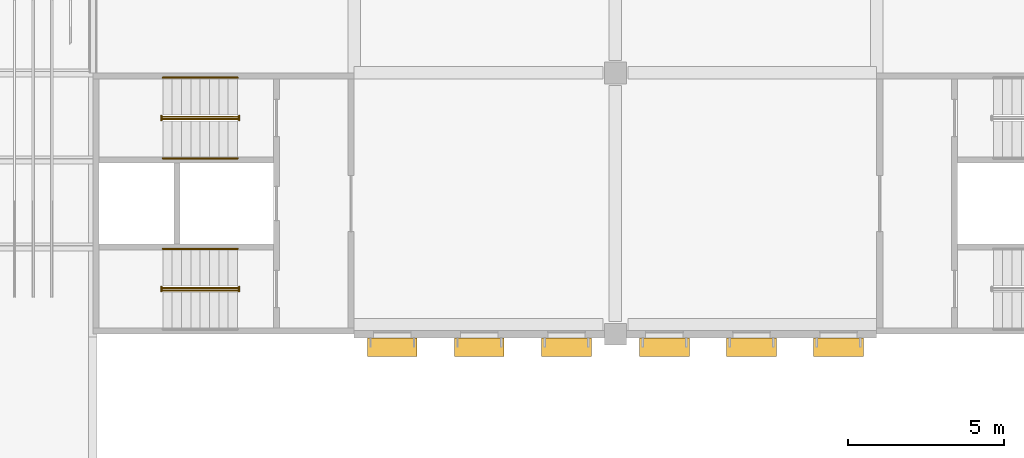
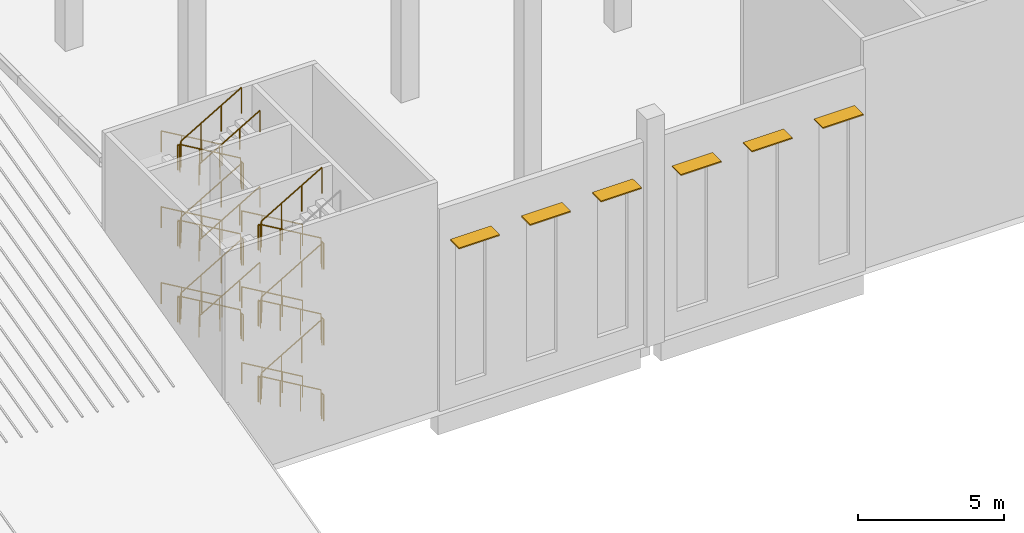
# One storey, part 97 of 114: 33 railings, 6 shading devices.
"""IFC4 building model written with IfcOpenShell, lengths in metres."""

import ifcopenshell
import ifcopenshell.guid

model = None  # the IFC model being written
_history = None  # IfcOwnerHistory: only IFC2X3 demands one
_inside = {}  # id of a spatial element -> (the spatial element, [elements in it])
_under = {}  # id of a project, library or spatial element -> (it, [spatial elements below it])
_declared = {}  # id of a project -> (the project, [libraries it declares])
_typed = {}  # id of a type object -> (the type object, [elements of that type])
_made_of = {}  # id of a material, layer set ... -> (it, [elements and type objects made of it])


def new_model(schema):
    """Start an empty IFC model of exactly this schema.

    Asked for "IFC4X3", IfcOpenShell would pick the latest addendum, in which some entities
    have other attributes; the version numbers below select the first issue.
    IFC2X3 requires an IfcOwnerHistory on every rooted entity: one is made here for all.
    """
    global model, _history
    if schema == "IFC4X3":
        model = ifcopenshell.file(schema_version=(4, 3, 0, 0))
    else:
        model = ifcopenshell.file(schema=schema)
    _inside.clear()
    _under.clear()
    _declared.clear()
    _typed.clear()
    _made_of.clear()
    _history = None
    if model.schema == "IFC2X3":
        org = make("IfcOrganization", Name="unknown")
        user = make(
            "IfcPersonAndOrganization",
            ThePerson=make("IfcPerson", FamilyName="unknown"),
            TheOrganization=org,
        )
        app = make(
            "IfcApplication",
            ApplicationDeveloper=org,
            Version="unknown",
            ApplicationFullName="unknown",
            ApplicationIdentifier="unknown",
        )
        _history = make(
            "IfcOwnerHistory",
            OwningUser=user,
            OwningApplication=app,
            ChangeAction="ADDED",
            CreationDate=0,
        )
    return model


def make(cls, **values):
    """One entity of the class cls with the attributes given. An attribute that is None is left unset."""
    return model.create_entity(
        cls, **{name: value for name, value in values.items() if value is not None}
    )


def rooted(cls, **values):
    """An entity with a GlobalId (a new one), such as an element, a storey or a relation."""
    return make(cls, GlobalId=ifcopenshell.guid.new(), OwnerHistory=_history, **values)


def si_unit(unit_type, name, prefix=None):
    """IfcSIUnit, for example si_unit("LENGTHUNIT", "METRE", prefix="MILLI")."""
    return make("IfcSIUnit", UnitType=unit_type, Prefix=prefix, Name=name)


def assignment(units):
    """IfcUnitAssignment: the units of a project."""
    return None if units is None else make("IfcUnitAssignment", Units=units)


def point(xyz):
    """IfcCartesianPoint."""
    return None if xyz is None else make("IfcCartesianPoint", Coordinates=xyz)


def direction(xyz):
    """IfcDirection."""
    return None if xyz is None else make("IfcDirection", DirectionRatios=xyz)


def frame(location, z_axis=None, x_axis=None):
    """IfcAxis2Placement3D, a coordinate frame: its origin and axes. An axis left out is left unset."""
    return make(
        "IfcAxis2Placement3D",
        Location=point(location),
        Axis=direction(z_axis),
        RefDirection=direction(x_axis),
    )


def frame_2d(location, x_axis=None):
    """IfcAxis2Placement2D, a coordinate frame in the plane: its origin and x axis."""
    return make(
        "IfcAxis2Placement2D", Location=point(location), RefDirection=direction(x_axis)
    )


def origin():
    """The frame at (0, 0, 0) with its axes left unset."""
    return frame((0.0, 0.0, 0.0))


def origin_2d():
    """The frame at (0, 0) in the plane with its x axis left unset."""
    return frame_2d((0.0, 0.0))


def place(relative_to, where):
    """IfcLocalPlacement: puts the frame where relative to a parent placement (None: the world)."""
    return make(
        "IfcLocalPlacement", PlacementRelTo=relative_to, RelativePlacement=where
    )


def context(
    kind, dimensions, precision=None, world=None, true_north=None, identifier=None
):
    """IfcGeometricRepresentationContext, for example the 3D "Model" context."""
    return make(
        "IfcGeometricRepresentationContext",
        ContextIdentifier=identifier,
        ContextType=kind,
        CoordinateSpaceDimension=dimensions,
        Precision=precision,
        WorldCoordinateSystem=world,
        TrueNorth=true_north,
    )


def subcontext(parent, identifier, kind, view, scale=None):
    """IfcGeometricRepresentationSubContext, for example "Body" below "Model"."""
    return make(
        "IfcGeometricRepresentationSubContext",
        ContextIdentifier=identifier,
        ContextType=kind,
        ParentContext=parent,
        TargetScale=scale,
        TargetView=view,
    )


def project(units=None, contexts=None):
    """IfcProject with its units and contexts."""
    return rooted(
        "IfcProject",
        Name="project",
        RepresentationContexts=contexts,
        UnitsInContext=assignment(units),
    )


def spatial(cls, under=None, at=None, **own):
    """A site, building, storey or space (cls), placed at a placement, below another one or the project."""
    s = rooted(cls, ObjectPlacement=at, **own)
    if under is not None:
        _under.setdefault(under.id(), (under, []))[1].append(s)
    return s


def profile(cls, at=None, kind="AREA", **sizes):
    """A parametric profile (cls). Its sizes go by their IFC names, for example OverallWidth=200.0."""
    return make(cls, ProfileType=kind, Position=at, **sizes)


def rectangle(**sizes):
    """IfcRectangleProfileDef."""
    return profile("IfcRectangleProfileDef", **sizes)


def circle(**sizes):
    """IfcCircleProfileDef."""
    return profile("IfcCircleProfileDef", **sizes)


def extrude(swept, where, along, depth):
    """IfcExtrudedAreaSolid: the profile swept, set in the frame where, extruded along a direction by depth."""
    return make(
        "IfcExtrudedAreaSolid",
        SweptArea=swept,
        Position=where,
        ExtrudedDirection=direction(along),
        Depth=depth,
    )


def shape(context_of_items, identifier, shape_type, items):
    """IfcShapeRepresentation: the items that make up one representation, for example the "Body"."""
    return make(
        "IfcShapeRepresentation",
        ContextOfItems=context_of_items,
        RepresentationIdentifier=identifier,
        RepresentationType=shape_type,
        Items=items,
    )


def material(Name=None, Category=None):
    """IfcMaterial."""
    return make("IfcMaterial", Name=Name, Category=Category)


def material_profile(
    of_material, cross_section, Name=None, Category=None, Priority=None
):
    """IfcMaterialProfile: a cross section and its material."""
    return make(
        "IfcMaterialProfile",
        Name=Name,
        Material=of_material,
        Profile=cross_section,
        Priority=Priority,
        Category=Category,
    )


def profile_set(profiles, Name=None, composite=None):
    """IfcMaterialProfileSet."""
    return make(
        "IfcMaterialProfileSet",
        Name=Name,
        MaterialProfiles=profiles,
        CompositeProfile=composite,
    )


def made_of(thing, what):
    """Note that an element or type object is made of a material, layer set ...; save() writes the relation."""
    if what is not None:
        _made_of.setdefault(what.id(), (what, []))[1].append(thing)
    return thing


def type_object(cls, material=None, **own):
    """A type object (cls), such as IfcWallType, which elements share."""
    return made_of(rooted(cls, **own), material)


def element(
    cls,
    number,
    at=None,
    inside=None,
    cuts=None,
    type_object=None,
    material=None,
    context=None,
    identifier="Body",
    shape_type=None,
    held_by="IfcProductDefinitionShape",
    body=None,
    shapes=None,
    **own,
):
    """One element of the class cls, such as IfcWall. Its Tag is "e" and its number.

    at: its placement. inside: the storey or other place that contains it. cuts: it is an
    opening in that element (IfcRelVoidsElement). A single representation is given by context,
    identifier, shape_type and body (its items); several are given by shapes. held_by: the class
    of the entity that holds the representations. save() writes the other relations.
    """
    e = rooted(cls, Tag="e%d" % number, ObjectPlacement=at, **own)
    if body is not None:
        shapes = [shape(context, identifier, shape_type, body)]
    if shapes is not None:
        e.Representation = make(held_by, Representations=shapes)
    if inside is not None:
        _inside.setdefault(inside.id(), (inside, []))[1].append(e)
    if cuts is not None:
        rooted(
            "IfcRelVoidsElement", RelatingBuildingElement=cuts, RelatedOpeningElement=e
        )
    if type_object is not None:
        _typed.setdefault(type_object.id(), (type_object, []))[1].append(e)
    return made_of(e, material)


def aggregate(whole, parts):
    """IfcRelAggregates: a whole, such as a stair, and the parts it consists of."""
    return rooted("IfcRelAggregates", RelatingObject=whole, RelatedObjects=parts)


def save(model, path):
    """Write the relations noted so far, then the file.

    IfcRelAggregates (storeys below a building ...), IfcRelContainedInSpatialStructure (elements
    in a storey), IfcRelDefinesByType, IfcRelAssociatesMaterial and IfcRelDeclares: one each for
    every whole, place, type object, material and project.
    """
    for whole, parts in _under.values():
        aggregate(whole, parts)
    for where, things in _inside.values():
        rooted(
            "IfcRelContainedInSpatialStructure",
            RelatedElements=things,
            RelatingStructure=where,
        )
    for kind, things in _typed.values():
        rooted("IfcRelDefinesByType", RelatedObjects=things, RelatingType=kind)
    for what, things in _made_of.values():
        rooted("IfcRelAssociatesMaterial", RelatedObjects=things, RelatingMaterial=what)
    for by, libraries in _declared.values():
        rooted("IfcRelDeclares", RelatingContext=by, RelatedDefinitions=libraries)
    model.write(path)


model = new_model("IFC4")

# Units and contexts
model_context = context("Model", 3, precision=1e-05, world=origin(), true_north=direction((0.0, 1.0)))
body_context = subcontext(model_context, "Body", "Model", "MODEL_VIEW")
ifc_project = project(units=[si_unit("LENGTHUNIT", "METRE"), si_unit("AREAUNIT", "SQUARE_METRE"), si_unit("VOLUMEUNIT", "CUBIC_METRE"), si_unit("PLANEANGLEUNIT", "RADIAN"), si_unit("MASSUNIT", "GRAM", prefix="KILO")], contexts=[model_context])

# Site, building, storey
site_placement = place(None, origin())
site = spatial("IfcSite", under=ifc_project, at=site_placement, CompositionType="ELEMENT")
building_placement = place(site_placement, origin())
building = spatial("IfcBuilding", under=site, at=building_placement, Name="Almond Square Museum", CompositionType="ELEMENT")
storey_placement = place(building_placement, frame((0.0, 0.0, 10.5)))
storey = spatial("IfcBuildingStorey", under=building, at=storey_placement, Name="L02", CompositionType="ELEMENT", Elevation=10.5)

# Railings
ifc_material_1 = material(Name="Stainless steel and laminated glass", Category="steel")
railing_type_1 = type_object("IfcRailingType", Name="Stair guard 1100 steel and glass", PredefinedType="GUARDRAIL", material=ifc_material_1)
railing_1_placement = place(storey_placement, frame((44.25, 85.489990234375, 0.176025390625)))
element("IfcRailing", 1, at=railing_1_placement, inside=storey, type_object=railing_type_1, Name="L02 ST-17 stair guard 1", PredefinedType="GUARDRAIL", context=body_context, shape_type="SweptSolid", body=[
    extrude(circle(Radius=0.02392578125, at=origin_2d()), frame((0.0, 0.0, 1.076171875), z_axis=(-0.862637233918, 0.0, 0.505823094232), x_axis=(0.0, -1.0, 0.0)), (0.0, 0.0, 1.0), 2.781982421875),
    extrude(circle(Radius=0.02099609375, at=origin_2d()), origin(), (0.0, 0.0, 1.0), 1.052001953125),
    extrude(circle(Radius=0.02099609375, at=origin_2d()), frame((-0.800048828125, 0.0, 0.468994140625)), (0.0, 0.0, 1.0), 1.052001953125),
    extrude(circle(Radius=0.02099609375, at=origin_2d()), frame((-1.599853515625, 0.0, 0.938232421875)), (0.0, 0.0, 1.0), 1.052001953125),
    extrude(circle(Radius=0.02099609375, at=origin_2d()), frame((-2.39990234375, 0.0, 1.4072265625)), (0.0, 0.0, 1.0), 1.052001953125),
])
railing_2_placement = place(storey_placement, frame((41.800048828125, 85.52001953125, 1.583251953125)))
element("IfcRailing", 2, at=railing_2_placement, inside=storey, type_object=railing_type_1, Name="L02 ST-17 stair guard 2", PredefinedType="GUARDRAIL", context=body_context, shape_type="SweptSolid", body=[
    extrude(circle(Radius=0.02392578125, at=origin_2d()), frame((0.0, 0.0, 1.076171875), z_axis=(0.0, -1.0, 0.0), x_axis=(1.0, 0.0, 0.0)), (0.0, 0.0, 1.0), 0.14013671875),
    extrude(circle(Radius=0.02099609375, at=origin_2d()), origin(), (0.0, 0.0, 1.0), 1.052001953125),
    extrude(circle(Radius=0.02099609375, at=origin_2d()), frame((0.0, -0.14013671875, 0.0)), (0.0, 0.0, 1.0), 1.052001953125),
])
railing_3_placement = place(storey_placement, frame((41.85009765625, 85.409912109375, 1.75927734375)))
element("IfcRailing", 3, at=railing_3_placement, inside=storey, type_object=railing_type_1, Name="L02 ST-17 stair guard 3", PredefinedType="GUARDRAIL", context=body_context, shape_type="SweptSolid", body=[
    extrude(circle(Radius=0.02392578125, at=origin_2d()), frame((0.0, 0.0, 1.076171875), z_axis=(0.86259894172, 0.0, 0.505888392576), x_axis=(0.0, 1.0, 0.0)), (0.0, 0.0, 1.0), 2.7822265625),
    extrude(circle(Radius=0.02099609375, at=origin_2d()), origin(), (0.0, 0.0, 1.0), 1.052001953125),
    extrude(circle(Radius=0.02099609375, at=origin_2d()), frame((0.800048828125, 0.0, 0.46923828125)), (0.0, 0.0, 1.0), 1.052001953125),
    extrude(circle(Radius=0.02099609375, at=origin_2d()), frame((1.599853515625, 0.0, 0.938232421875)), (0.0, 0.0, 1.0), 1.052001953125),
    extrude(circle(Radius=0.02099609375, at=origin_2d()), frame((2.39990234375, 0.0, 1.407470703125)), (0.0, 0.0, 1.0), 1.052001953125),
])
railing_4_placement = place(storey_placement, frame((44.300048828125, 85.52001953125, 3.166748046875)))
element("IfcRailing", 4, at=railing_4_placement, inside=storey, type_object=railing_type_1, Name="L02 ST-17 stair guard 4", PredefinedType="GUARDRAIL", context=body_context, shape_type="SweptSolid", body=[
    extrude(circle(Radius=0.02392578125, at=origin_2d()), frame((0.0, 0.0, 1.076171875), z_axis=(0.0, -1.0, 0.0), x_axis=(1.0, 0.0, 0.0)), (0.0, 0.0, 1.0), 0.14013671875),
    extrude(circle(Radius=0.02099609375, at=origin_2d()), origin(), (0.0, 0.0, 1.0), 1.052001953125),
    extrude(circle(Radius=0.02099609375, at=origin_2d()), frame((0.0, -0.14013671875, 0.0)), (0.0, 0.0, 1.0), 1.052001953125),
])
railing_5_placement = place(storey_placement, frame((44.25, 85.489990234375, 3.342529296875)))
element("IfcRailing", 5, at=railing_5_placement, inside=storey, type_object=railing_type_1, Name="L02 ST-17 stair guard 5", PredefinedType="GUARDRAIL", context=body_context, shape_type="SweptSolid", body=[
    extrude(circle(Radius=0.02392578125, at=origin_2d()), frame((0.0, 0.0, 1.076171875), z_axis=(-0.86259894172, 0.0, 0.505888392576), x_axis=(0.0, -1.0, 0.0)), (0.0, 0.0, 1.0), 2.7822265625),
    extrude(circle(Radius=0.02099609375, at=origin_2d()), origin(), (0.0, 0.0, 1.0), 1.052001953125),
    extrude(circle(Radius=0.02099609375, at=origin_2d()), frame((-0.800048828125, 0.0, 0.46923828125)), (0.0, 0.0, 1.0), 1.052001953125),
    extrude(circle(Radius=0.02099609375, at=origin_2d()), frame((-1.599853515625, 0.0, 0.938232421875)), (0.0, 0.0, 1.0), 1.052001953125),
    extrude(circle(Radius=0.02099609375, at=origin_2d()), frame((-2.39990234375, 0.0, 1.407470703125)), (0.0, 0.0, 1.0), 1.052001953125),
])
railing_6_placement = place(storey_placement, frame((41.800048828125, 85.52001953125, 4.75)))
element("IfcRailing", 6, at=railing_6_placement, inside=storey, type_object=railing_type_1, Name="L02 ST-17 stair guard 6", PredefinedType="GUARDRAIL", context=body_context, shape_type="SweptSolid", body=[
    extrude(circle(Radius=0.02392578125, at=origin_2d()), frame((0.0, 0.0, 1.076171875), z_axis=(0.0, -1.0, 0.0), x_axis=(1.0, 0.0, 0.0)), (0.0, 0.0, 1.0), 0.14013671875),
    extrude(circle(Radius=0.02099609375, at=origin_2d()), origin(), (0.0, 0.0, 1.0), 1.052001953125),
    extrude(circle(Radius=0.02099609375, at=origin_2d()), frame((0.0, -0.14013671875, 0.0)), (0.0, 0.0, 1.0), 1.052001953125),
])
railing_7_placement = place(storey_placement, frame((41.85009765625, 85.409912109375, 4.926025390625)))
element("IfcRailing", 7, at=railing_7_placement, inside=storey, type_object=railing_type_1, Name="L02 ST-17 stair guard 7", PredefinedType="GUARDRAIL", context=body_context, shape_type="SweptSolid", body=[
    extrude(circle(Radius=0.02392578125, at=origin_2d()), frame((0.0, 0.0, 1.076171875), z_axis=(0.862637233918, 0.0, 0.505823094232), x_axis=(0.0, 1.0, 0.0)), (0.0, 0.0, 1.0), 2.781982421875),
    extrude(circle(Radius=0.02099609375, at=origin_2d()), origin(), (0.0, 0.0, 1.0), 1.052001953125),
    extrude(circle(Radius=0.02099609375, at=origin_2d()), frame((0.800048828125, 0.0, 0.468994140625)), (0.0, 0.0, 1.0), 1.052001953125),
    extrude(circle(Radius=0.02099609375, at=origin_2d()), frame((1.599853515625, 0.0, 0.938232421875)), (0.0, 0.0, 1.0), 1.052001953125),
    extrude(circle(Radius=0.02099609375, at=origin_2d()), frame((2.39990234375, 0.0, 1.4072265625)), (0.0, 0.0, 1.0), 1.052001953125),
])
railing_8_placement = place(storey_placement, frame((44.300048828125, 85.52001953125, 6.333251953125)))
element("IfcRailing", 8, at=railing_8_placement, inside=storey, type_object=railing_type_1, Name="L02 ST-17 stair guard 8", PredefinedType="GUARDRAIL", context=body_context, shape_type="SweptSolid", body=[
    extrude(circle(Radius=0.02392578125, at=origin_2d()), frame((0.0, 0.0, 1.076171875), z_axis=(0.0, -1.0, 0.0), x_axis=(1.0, 0.0, 0.0)), (0.0, 0.0, 1.0), 0.14013671875),
    extrude(circle(Radius=0.02099609375, at=origin_2d()), origin(), (0.0, 0.0, 1.0), 1.052001953125),
    extrude(circle(Radius=0.02099609375, at=origin_2d()), frame((0.0, -0.14013671875, 0.0)), (0.0, 0.0, 1.0), 1.052001953125),
])
railing_9_placement = place(storey_placement, frame((44.25, 85.489990234375, 6.50927734375)))
element("IfcRailing", 9, at=railing_9_placement, inside=storey, type_object=railing_type_1, Name="L02 ST-17 stair guard 9", PredefinedType="GUARDRAIL", context=body_context, shape_type="SweptSolid", body=[
    extrude(circle(Radius=0.02392578125, at=origin_2d()), frame((0.0, 0.0, 1.076171875), z_axis=(-0.86259894172, 0.0, 0.505888392576), x_axis=(0.0, -1.0, 0.0)), (0.0, 0.0, 1.0), 2.7822265625),
    extrude(circle(Radius=0.02099609375, at=origin_2d()), origin(), (0.0, 0.0, 1.0), 1.052001953125),
    extrude(circle(Radius=0.02099609375, at=origin_2d()), frame((-0.800048828125, 0.0, 0.46923828125)), (0.0, 0.0, 1.0), 1.052001953125),
    extrude(circle(Radius=0.02099609375, at=origin_2d()), frame((-1.599853515625, 0.0, 0.938232421875)), (0.0, 0.0, 1.0), 1.052001953125),
    extrude(circle(Radius=0.02099609375, at=origin_2d()), frame((-2.39990234375, 0.0, 1.407470703125)), (0.0, 0.0, 1.0), 1.052001953125),
])
railing_10_placement = place(storey_placement, frame((41.800048828125, 85.52001953125, 7.916748046875)))
element("IfcRailing", 10, at=railing_10_placement, inside=storey, type_object=railing_type_1, Name="L02 ST-17 stair guard 10", PredefinedType="GUARDRAIL", context=body_context, shape_type="SweptSolid", body=[
    extrude(circle(Radius=0.02392578125, at=origin_2d()), frame((0.0, 0.0, 1.076171875), z_axis=(0.0, -1.0, 0.0), x_axis=(1.0, 0.0, 0.0)), (0.0, 0.0, 1.0), 0.14013671875),
    extrude(circle(Radius=0.02099609375, at=origin_2d()), origin(), (0.0, 0.0, 1.0), 1.052001953125),
    extrude(circle(Radius=0.02099609375, at=origin_2d()), frame((0.0, -0.14013671875, 0.0)), (0.0, 0.0, 1.0), 1.052001953125),
])
railing_11_placement = place(storey_placement, frame((41.85009765625, 85.409912109375, 8.092529296875)))
element("IfcRailing", 11, at=railing_11_placement, inside=storey, type_object=railing_type_1, Name="L02 ST-17 stair guard 11", PredefinedType="GUARDRAIL", context=body_context, shape_type="SweptSolid", body=[
    extrude(circle(Radius=0.02392578125, at=origin_2d()), frame((0.0, 0.0, 1.076171875), z_axis=(0.86259894172, 0.0, 0.505888392576), x_axis=(0.0, 1.0, 0.0)), (0.0, 0.0, 1.0), 2.7822265625),
    extrude(circle(Radius=0.02099609375, at=origin_2d()), origin(), (0.0, 0.0, 1.0), 1.052001953125),
    extrude(circle(Radius=0.02099609375, at=origin_2d()), frame((0.800048828125, 0.0, 0.46923828125)), (0.0, 0.0, 1.0), 1.052001953125),
    extrude(circle(Radius=0.02099609375, at=origin_2d()), frame((1.599853515625, 0.0, 0.938232421875)), (0.0, 0.0, 1.0), 1.052001953125),
    extrude(circle(Radius=0.02099609375, at=origin_2d()), frame((2.39990234375, 0.0, 1.407470703125)), (0.0, 0.0, 1.0), 1.052001953125),
])
railing_12_placement = place(storey_placement, frame((44.300048828125, 85.52001953125, 0.0)))
element("IfcRailing", 12, at=railing_12_placement, inside=storey, type_object=railing_type_1, Name="L02 ST-17 stair guard 12", PredefinedType="GUARDRAIL", context=body_context, shape_type="SweptSolid", body=[
    extrude(circle(Radius=0.02392578125, at=origin_2d()), frame((0.0, 0.0, 1.076171875), z_axis=(0.0, -1.0, 0.0), x_axis=(1.0, 0.0, 0.0)), (0.0, 0.0, 1.0), 0.14013671875),
    extrude(circle(Radius=0.02099609375, at=origin_2d()), origin(), (0.0, 0.0, 1.0), 1.052001953125),
    extrude(circle(Radius=0.02099609375, at=origin_2d()), frame((0.0, -0.14013671875, 0.0)), (0.0, 0.0, 1.0), 1.052001953125),
])
railing_13_placement = place(storey_placement, frame((44.25, 90.989990234375, 0.176025390625)))
element("IfcRailing", 13, at=railing_13_placement, inside=storey, type_object=railing_type_1, Name="L02 ST-18 stair guard 1", PredefinedType="GUARDRAIL", context=body_context, shape_type="SweptSolid", body=[
    extrude(circle(Radius=0.02392578125, at=origin_2d()), frame((0.0, 0.0, 1.076171875), z_axis=(-0.862637233918, 0.0, 0.505823094232), x_axis=(0.0, -1.0, 0.0)), (0.0, 0.0, 1.0), 2.781982421875),
    extrude(circle(Radius=0.02099609375, at=origin_2d()), origin(), (0.0, 0.0, 1.0), 1.052001953125),
    extrude(circle(Radius=0.02099609375, at=origin_2d()), frame((-0.800048828125, 0.0, 0.468994140625)), (0.0, 0.0, 1.0), 1.052001953125),
    extrude(circle(Radius=0.02099609375, at=origin_2d()), frame((-1.599853515625, 0.0, 0.938232421875)), (0.0, 0.0, 1.0), 1.052001953125),
    extrude(circle(Radius=0.02099609375, at=origin_2d()), frame((-2.39990234375, 0.0, 1.4072265625)), (0.0, 0.0, 1.0), 1.052001953125),
])
railing_14_placement = place(storey_placement, frame((41.800048828125, 91.02001953125, 1.583251953125)))
element("IfcRailing", 14, at=railing_14_placement, inside=storey, type_object=railing_type_1, Name="L02 ST-18 stair guard 2", PredefinedType="GUARDRAIL", context=body_context, shape_type="SweptSolid", body=[
    extrude(circle(Radius=0.02392578125, at=origin_2d()), frame((0.0, 0.0, 1.076171875), z_axis=(0.0, -1.0, 0.0), x_axis=(1.0, 0.0, 0.0)), (0.0, 0.0, 1.0), 0.14013671875),
    extrude(circle(Radius=0.02099609375, at=origin_2d()), origin(), (0.0, 0.0, 1.0), 1.052001953125),
    extrude(circle(Radius=0.02099609375, at=origin_2d()), frame((0.0, -0.14013671875, 0.0)), (0.0, 0.0, 1.0), 1.052001953125),
])
railing_15_placement = place(storey_placement, frame((41.85009765625, 90.909912109375, 1.75927734375)))
element("IfcRailing", 15, at=railing_15_placement, inside=storey, type_object=railing_type_1, Name="L02 ST-18 stair guard 3", PredefinedType="GUARDRAIL", context=body_context, shape_type="SweptSolid", body=[
    extrude(circle(Radius=0.02392578125, at=origin_2d()), frame((0.0, 0.0, 1.076171875), z_axis=(0.86259894172, 0.0, 0.505888392576), x_axis=(0.0, 1.0, 0.0)), (0.0, 0.0, 1.0), 2.7822265625),
    extrude(circle(Radius=0.02099609375, at=origin_2d()), origin(), (0.0, 0.0, 1.0), 1.052001953125),
    extrude(circle(Radius=0.02099609375, at=origin_2d()), frame((0.800048828125, 0.0, 0.46923828125)), (0.0, 0.0, 1.0), 1.052001953125),
    extrude(circle(Radius=0.02099609375, at=origin_2d()), frame((1.599853515625, 0.0, 0.938232421875)), (0.0, 0.0, 1.0), 1.052001953125),
    extrude(circle(Radius=0.02099609375, at=origin_2d()), frame((2.39990234375, 0.0, 1.407470703125)), (0.0, 0.0, 1.0), 1.052001953125),
])
railing_16_placement = place(storey_placement, frame((44.300048828125, 91.02001953125, 3.166748046875)))
element("IfcRailing", 16, at=railing_16_placement, inside=storey, type_object=railing_type_1, Name="L02 ST-18 stair guard 4", PredefinedType="GUARDRAIL", context=body_context, shape_type="SweptSolid", body=[
    extrude(circle(Radius=0.02392578125, at=origin_2d()), frame((0.0, 0.0, 1.076171875), z_axis=(0.0, -1.0, 0.0), x_axis=(1.0, 0.0, 0.0)), (0.0, 0.0, 1.0), 0.14013671875),
    extrude(circle(Radius=0.02099609375, at=origin_2d()), origin(), (0.0, 0.0, 1.0), 1.052001953125),
    extrude(circle(Radius=0.02099609375, at=origin_2d()), frame((0.0, -0.14013671875, 0.0)), (0.0, 0.0, 1.0), 1.052001953125),
])
railing_17_placement = place(storey_placement, frame((44.25, 90.989990234375, 3.342529296875)))
element("IfcRailing", 17, at=railing_17_placement, inside=storey, type_object=railing_type_1, Name="L02 ST-18 stair guard 5", PredefinedType="GUARDRAIL", context=body_context, shape_type="SweptSolid", body=[
    extrude(circle(Radius=0.02392578125, at=origin_2d()), frame((0.0, 0.0, 1.076171875), z_axis=(-0.86259894172, 0.0, 0.505888392576), x_axis=(0.0, -1.0, 0.0)), (0.0, 0.0, 1.0), 2.7822265625),
    extrude(circle(Radius=0.02099609375, at=origin_2d()), origin(), (0.0, 0.0, 1.0), 1.052001953125),
    extrude(circle(Radius=0.02099609375, at=origin_2d()), frame((-0.800048828125, 0.0, 0.46923828125)), (0.0, 0.0, 1.0), 1.052001953125),
    extrude(circle(Radius=0.02099609375, at=origin_2d()), frame((-1.599853515625, 0.0, 0.938232421875)), (0.0, 0.0, 1.0), 1.052001953125),
    extrude(circle(Radius=0.02099609375, at=origin_2d()), frame((-2.39990234375, 0.0, 1.407470703125)), (0.0, 0.0, 1.0), 1.052001953125),
])
railing_18_placement = place(storey_placement, frame((41.800048828125, 91.02001953125, 4.75)))
element("IfcRailing", 18, at=railing_18_placement, inside=storey, type_object=railing_type_1, Name="L02 ST-18 stair guard 6", PredefinedType="GUARDRAIL", context=body_context, shape_type="SweptSolid", body=[
    extrude(circle(Radius=0.02392578125, at=origin_2d()), frame((0.0, 0.0, 1.076171875), z_axis=(0.0, -1.0, 0.0), x_axis=(1.0, 0.0, 0.0)), (0.0, 0.0, 1.0), 0.14013671875),
    extrude(circle(Radius=0.02099609375, at=origin_2d()), origin(), (0.0, 0.0, 1.0), 1.052001953125),
    extrude(circle(Radius=0.02099609375, at=origin_2d()), frame((0.0, -0.14013671875, 0.0)), (0.0, 0.0, 1.0), 1.052001953125),
])
railing_19_placement = place(storey_placement, frame((41.85009765625, 90.909912109375, 4.926025390625)))
element("IfcRailing", 19, at=railing_19_placement, inside=storey, type_object=railing_type_1, Name="L02 ST-18 stair guard 7", PredefinedType="GUARDRAIL", context=body_context, shape_type="SweptSolid", body=[
    extrude(circle(Radius=0.02392578125, at=origin_2d()), frame((0.0, 0.0, 1.076171875), z_axis=(0.862637233918, 0.0, 0.505823094232), x_axis=(0.0, 1.0, 0.0)), (0.0, 0.0, 1.0), 2.781982421875),
    extrude(circle(Radius=0.02099609375, at=origin_2d()), origin(), (0.0, 0.0, 1.0), 1.052001953125),
    extrude(circle(Radius=0.02099609375, at=origin_2d()), frame((0.800048828125, 0.0, 0.468994140625)), (0.0, 0.0, 1.0), 1.052001953125),
    extrude(circle(Radius=0.02099609375, at=origin_2d()), frame((1.599853515625, 0.0, 0.938232421875)), (0.0, 0.0, 1.0), 1.052001953125),
    extrude(circle(Radius=0.02099609375, at=origin_2d()), frame((2.39990234375, 0.0, 1.4072265625)), (0.0, 0.0, 1.0), 1.052001953125),
])
railing_20_placement = place(storey_placement, frame((44.300048828125, 91.02001953125, 6.333251953125)))
element("IfcRailing", 20, at=railing_20_placement, inside=storey, type_object=railing_type_1, Name="L02 ST-18 stair guard 8", PredefinedType="GUARDRAIL", context=body_context, shape_type="SweptSolid", body=[
    extrude(circle(Radius=0.02392578125, at=origin_2d()), frame((0.0, 0.0, 1.076171875), z_axis=(0.0, -1.0, 0.0), x_axis=(1.0, 0.0, 0.0)), (0.0, 0.0, 1.0), 0.14013671875),
    extrude(circle(Radius=0.02099609375, at=origin_2d()), origin(), (0.0, 0.0, 1.0), 1.052001953125),
    extrude(circle(Radius=0.02099609375, at=origin_2d()), frame((0.0, -0.14013671875, 0.0)), (0.0, 0.0, 1.0), 1.052001953125),
])
railing_21_placement = place(storey_placement, frame((44.25, 90.989990234375, 6.50927734375)))
element("IfcRailing", 21, at=railing_21_placement, inside=storey, type_object=railing_type_1, Name="L02 ST-18 stair guard 9", PredefinedType="GUARDRAIL", context=body_context, shape_type="SweptSolid", body=[
    extrude(circle(Radius=0.02392578125, at=origin_2d()), frame((0.0, 0.0, 1.076171875), z_axis=(-0.86259894172, 0.0, 0.505888392576), x_axis=(0.0, -1.0, 0.0)), (0.0, 0.0, 1.0), 2.7822265625),
    extrude(circle(Radius=0.02099609375, at=origin_2d()), origin(), (0.0, 0.0, 1.0), 1.052001953125),
    extrude(circle(Radius=0.02099609375, at=origin_2d()), frame((-0.800048828125, 0.0, 0.46923828125)), (0.0, 0.0, 1.0), 1.052001953125),
    extrude(circle(Radius=0.02099609375, at=origin_2d()), frame((-1.599853515625, 0.0, 0.938232421875)), (0.0, 0.0, 1.0), 1.052001953125),
    extrude(circle(Radius=0.02099609375, at=origin_2d()), frame((-2.39990234375, 0.0, 1.407470703125)), (0.0, 0.0, 1.0), 1.052001953125),
])
railing_22_placement = place(storey_placement, frame((41.800048828125, 91.02001953125, 7.916748046875)))
element("IfcRailing", 22, at=railing_22_placement, inside=storey, type_object=railing_type_1, Name="L02 ST-18 stair guard 10", PredefinedType="GUARDRAIL", context=body_context, shape_type="SweptSolid", body=[
    extrude(circle(Radius=0.02392578125, at=origin_2d()), frame((0.0, 0.0, 1.076171875), z_axis=(0.0, -1.0, 0.0), x_axis=(1.0, 0.0, 0.0)), (0.0, 0.0, 1.0), 0.14013671875),
    extrude(circle(Radius=0.02099609375, at=origin_2d()), origin(), (0.0, 0.0, 1.0), 1.052001953125),
    extrude(circle(Radius=0.02099609375, at=origin_2d()), frame((0.0, -0.14013671875, 0.0)), (0.0, 0.0, 1.0), 1.052001953125),
])
railing_23_placement = place(storey_placement, frame((41.85009765625, 90.909912109375, 8.092529296875)))
element("IfcRailing", 23, at=railing_23_placement, inside=storey, type_object=railing_type_1, Name="L02 ST-18 stair guard 11", PredefinedType="GUARDRAIL", context=body_context, shape_type="SweptSolid", body=[
    extrude(circle(Radius=0.02392578125, at=origin_2d()), frame((0.0, 0.0, 1.076171875), z_axis=(0.86259894172, 0.0, 0.505888392576), x_axis=(0.0, 1.0, 0.0)), (0.0, 0.0, 1.0), 2.7822265625),
    extrude(circle(Radius=0.02099609375, at=origin_2d()), origin(), (0.0, 0.0, 1.0), 1.052001953125),
    extrude(circle(Radius=0.02099609375, at=origin_2d()), frame((0.800048828125, 0.0, 0.46923828125)), (0.0, 0.0, 1.0), 1.052001953125),
    extrude(circle(Radius=0.02099609375, at=origin_2d()), frame((1.599853515625, 0.0, 0.938232421875)), (0.0, 0.0, 1.0), 1.052001953125),
    extrude(circle(Radius=0.02099609375, at=origin_2d()), frame((2.39990234375, 0.0, 1.407470703125)), (0.0, 0.0, 1.0), 1.052001953125),
])
railing_24_placement = place(storey_placement, frame((44.300048828125, 91.02001953125, 0.0)))
element("IfcRailing", 24, at=railing_24_placement, inside=storey, type_object=railing_type_1, Name="L02 ST-18 stair guard 12", PredefinedType="GUARDRAIL", context=body_context, shape_type="SweptSolid", body=[
    extrude(circle(Radius=0.02392578125, at=origin_2d()), frame((0.0, 0.0, 1.076171875), z_axis=(0.0, -1.0, 0.0), x_axis=(1.0, 0.0, 0.0)), (0.0, 0.0, 1.0), 0.14013671875),
    extrude(circle(Radius=0.02099609375, at=origin_2d()), origin(), (0.0, 0.0, 1.0), 1.052001953125),
    extrude(circle(Radius=0.02099609375, at=origin_2d()), frame((0.0, -0.14013671875, 0.0)), (0.0, 0.0, 1.0), 1.052001953125),
])
ifc_material_2 = material(Name="Stainless steel", Category="steel")
railing_type_2 = type_object("IfcRailingType", Name="Stair handrail 900 steel", PredefinedType="HANDRAIL", material=ifc_material_2)
railing_25_placement = place(storey_placement, frame((44.25, 86.7451171875, 0.176025390625)))
element("IfcRailing", 25, at=railing_25_placement, inside=storey, type_object=railing_type_2, Name="L02 ST-17 stair handrail 1", PredefinedType="HANDRAIL", context=body_context, shape_type="SweptSolid", body=[
    extrude(circle(Radius=0.02392578125, at=origin_2d()), frame((0.0, 0.0, 0.8759765625), z_axis=(-0.862637233918, 0.0, 0.505823094232), x_axis=(0.0, -1.0, 0.0)), (0.0, 0.0, 1.0), 2.781982421875),
    extrude(circle(Radius=0.02099609375, at=origin_2d()), origin(), (0.0, 0.0, 1.0), 0.851806640625),
    extrude(circle(Radius=0.02099609375, at=origin_2d()), frame((-0.800048828125, 0.0, 0.468994140625)), (0.0, 0.0, 1.0), 0.851806640625),
    extrude(circle(Radius=0.02099609375, at=origin_2d()), frame((-1.599853515625, 0.0, 0.938232421875)), (0.0, 0.0, 1.0), 0.851806640625),
    extrude(circle(Radius=0.02099609375, at=origin_2d()), frame((-2.39990234375, 0.0, 1.4072265625)), (0.0, 0.0, 1.0), 0.851806640625),
])
for number, where, name in (
    (26, (44.25, 86.7451171875, 3.342529296875), "L02 ST-17 stair handrail 3"),
    (27, (44.25, 86.7451171875, 6.50927734375), "L02 ST-17 stair handrail 5"),
):
    element("IfcRailing", number, at=place(storey_placement, frame(where)), inside=storey, type_object=railing_type_2, Name=name, PredefinedType="HANDRAIL", context=body_context, shape_type="SweptSolid", body=[
        extrude(circle(Radius=0.02392578125, at=origin_2d()), frame((0.0, 0.0, 0.8759765625), z_axis=(-0.86259894172, 0.0, 0.505888392576), x_axis=(0.0, -1.0, 0.0)), (0.0, 0.0, 1.0), 2.7822265625),
        extrude(circle(Radius=0.02099609375, at=origin_2d()), origin(), (0.0, 0.0, 1.0), 0.851806640625),
        extrude(circle(Radius=0.02099609375, at=origin_2d()), frame((-0.800048828125, 0.0, 0.46923828125)), (0.0, 0.0, 1.0), 0.851806640625),
        extrude(circle(Radius=0.02099609375, at=origin_2d()), frame((-1.599853515625, 0.0, 0.938232421875)), (0.0, 0.0, 1.0), 0.851806640625),
        extrude(circle(Radius=0.02099609375, at=origin_2d()), frame((-2.39990234375, 0.0, 1.407470703125)), (0.0, 0.0, 1.0), 0.851806640625),
    ])
railing_26_placement = place(storey_placement, frame((44.25, 92.2451171875, 0.176025390625)))
element("IfcRailing", 28, at=railing_26_placement, inside=storey, type_object=railing_type_2, Name="L02 ST-18 stair handrail 1", PredefinedType="HANDRAIL", context=body_context, shape_type="SweptSolid", body=[
    extrude(circle(Radius=0.02392578125, at=origin_2d()), frame((0.0, 0.0, 0.8759765625), z_axis=(-0.862637233918, 0.0, 0.505823094232), x_axis=(0.0, -1.0, 0.0)), (0.0, 0.0, 1.0), 2.781982421875),
    extrude(circle(Radius=0.02099609375, at=origin_2d()), origin(), (0.0, 0.0, 1.0), 0.851806640625),
    extrude(circle(Radius=0.02099609375, at=origin_2d()), frame((-0.800048828125, 0.0, 0.468994140625)), (0.0, 0.0, 1.0), 0.851806640625),
    extrude(circle(Radius=0.02099609375, at=origin_2d()), frame((-1.599853515625, 0.0, 0.938232421875)), (0.0, 0.0, 1.0), 0.851806640625),
    extrude(circle(Radius=0.02099609375, at=origin_2d()), frame((-2.39990234375, 0.0, 1.4072265625)), (0.0, 0.0, 1.0), 0.851806640625),
])
railing_27_placement = place(storey_placement, frame((41.85009765625, 89.655029296875, 1.75927734375)))
element("IfcRailing", 29, at=railing_27_placement, inside=storey, type_object=railing_type_2, Name="L02 ST-18 stair handrail 2", PredefinedType="HANDRAIL", context=body_context, shape_type="SweptSolid", body=[
    extrude(circle(Radius=0.02392578125, at=origin_2d()), frame((0.0, 0.0, 0.8759765625), z_axis=(0.86259894172, 0.0, 0.505888392576), x_axis=(0.0, 1.0, 0.0)), (0.0, 0.0, 1.0), 2.7822265625),
    extrude(circle(Radius=0.02099609375, at=origin_2d()), origin(), (0.0, 0.0, 1.0), 0.851806640625),
    extrude(circle(Radius=0.02099609375, at=origin_2d()), frame((0.800048828125, 0.0, 0.46923828125)), (0.0, 0.0, 1.0), 0.851806640625),
    extrude(circle(Radius=0.02099609375, at=origin_2d()), frame((1.599853515625, 0.0, 0.938232421875)), (0.0, 0.0, 1.0), 0.851806640625),
    extrude(circle(Radius=0.02099609375, at=origin_2d()), frame((2.39990234375, 0.0, 1.407470703125)), (0.0, 0.0, 1.0), 0.851806640625),
])
railing_28_placement = place(storey_placement, frame((44.25, 92.2451171875, 3.342529296875)))
element("IfcRailing", 30, at=railing_28_placement, inside=storey, type_object=railing_type_2, Name="L02 ST-18 stair handrail 3", PredefinedType="HANDRAIL", context=body_context, shape_type="SweptSolid", body=[
    extrude(circle(Radius=0.02392578125, at=origin_2d()), frame((0.0, 0.0, 0.8759765625), z_axis=(-0.86259894172, 0.0, 0.505888392576), x_axis=(0.0, -1.0, 0.0)), (0.0, 0.0, 1.0), 2.7822265625),
    extrude(circle(Radius=0.02099609375, at=origin_2d()), origin(), (0.0, 0.0, 1.0), 0.851806640625),
    extrude(circle(Radius=0.02099609375, at=origin_2d()), frame((-0.800048828125, 0.0, 0.46923828125)), (0.0, 0.0, 1.0), 0.851806640625),
    extrude(circle(Radius=0.02099609375, at=origin_2d()), frame((-1.599853515625, 0.0, 0.938232421875)), (0.0, 0.0, 1.0), 0.851806640625),
    extrude(circle(Radius=0.02099609375, at=origin_2d()), frame((-2.39990234375, 0.0, 1.407470703125)), (0.0, 0.0, 1.0), 0.851806640625),
])
railing_29_placement = place(storey_placement, frame((41.85009765625, 89.655029296875, 4.926025390625)))
element("IfcRailing", 31, at=railing_29_placement, inside=storey, type_object=railing_type_2, Name="L02 ST-18 stair handrail 4", PredefinedType="HANDRAIL", context=body_context, shape_type="SweptSolid", body=[
    extrude(circle(Radius=0.02392578125, at=origin_2d()), frame((0.0, 0.0, 0.8759765625), z_axis=(0.862637233918, 0.0, 0.505823094232), x_axis=(0.0, 1.0, 0.0)), (0.0, 0.0, 1.0), 2.781982421875),
    extrude(circle(Radius=0.02099609375, at=origin_2d()), origin(), (0.0, 0.0, 1.0), 0.851806640625),
    extrude(circle(Radius=0.02099609375, at=origin_2d()), frame((0.800048828125, 0.0, 0.468994140625)), (0.0, 0.0, 1.0), 0.851806640625),
    extrude(circle(Radius=0.02099609375, at=origin_2d()), frame((1.599853515625, 0.0, 0.938232421875)), (0.0, 0.0, 1.0), 0.851806640625),
    extrude(circle(Radius=0.02099609375, at=origin_2d()), frame((2.39990234375, 0.0, 1.4072265625)), (0.0, 0.0, 1.0), 0.851806640625),
])
railing_30_placement = place(storey_placement, frame((44.25, 92.2451171875, 6.50927734375)))
element("IfcRailing", 32, at=railing_30_placement, inside=storey, type_object=railing_type_2, Name="L02 ST-18 stair handrail 5", PredefinedType="HANDRAIL", context=body_context, shape_type="SweptSolid", body=[
    extrude(circle(Radius=0.02392578125, at=origin_2d()), frame((0.0, 0.0, 0.8759765625), z_axis=(-0.86259894172, 0.0, 0.505888392576), x_axis=(0.0, -1.0, 0.0)), (0.0, 0.0, 1.0), 2.7822265625),
    extrude(circle(Radius=0.02099609375, at=origin_2d()), origin(), (0.0, 0.0, 1.0), 0.851806640625),
    extrude(circle(Radius=0.02099609375, at=origin_2d()), frame((-0.800048828125, 0.0, 0.46923828125)), (0.0, 0.0, 1.0), 0.851806640625),
    extrude(circle(Radius=0.02099609375, at=origin_2d()), frame((-1.599853515625, 0.0, 0.938232421875)), (0.0, 0.0, 1.0), 0.851806640625),
    extrude(circle(Radius=0.02099609375, at=origin_2d()), frame((-2.39990234375, 0.0, 1.407470703125)), (0.0, 0.0, 1.0), 0.851806640625),
])
railing_31_placement = place(storey_placement, frame((41.85009765625, 89.655029296875, 8.092529296875)))
element("IfcRailing", 33, at=railing_31_placement, inside=storey, type_object=railing_type_2, Name="L02 ST-18 stair handrail 6", PredefinedType="HANDRAIL", context=body_context, shape_type="SweptSolid", body=[
    extrude(circle(Radius=0.02392578125, at=origin_2d()), frame((0.0, 0.0, 0.8759765625), z_axis=(0.86259894172, 0.0, 0.505888392576), x_axis=(0.0, 1.0, 0.0)), (0.0, 0.0, 1.0), 2.7822265625),
    extrude(circle(Radius=0.02099609375, at=origin_2d()), origin(), (0.0, 0.0, 1.0), 0.851806640625),
    extrude(circle(Radius=0.02099609375, at=origin_2d()), frame((0.800048828125, 0.0, 0.46923828125)), (0.0, 0.0, 1.0), 0.851806640625),
    extrude(circle(Radius=0.02099609375, at=origin_2d()), frame((1.599853515625, 0.0, 0.938232421875)), (0.0, 0.0, 1.0), 0.851806640625),
    extrude(circle(Radius=0.02099609375, at=origin_2d()), frame((2.39990234375, 0.0, 1.407470703125)), (0.0, 0.0, 1.0), 0.851806640625),
])

# Shading devices
ifc_material_3 = material(Name="Anodised aluminium", Category="aluminium")
ifc_material_profile = material_profile(ifc_material_3, rectangle(XDim=0.60009765625, YDim=0.050048828125, at=origin_2d()))
ifc_profile_set = profile_set([ifc_material_profile], Name="Anodised aluminium")
shading_device_type = type_object("IfcShadingDeviceType", Name="Sun-shade blade 600 x 50", PredefinedType="USERDEFINED", material=ifc_profile_set)
for number, where, z_axis, x_axis, name in (
    (34, (48.425048828125, 83.576904296875, 7.02001953125), (1.0, 0.0, 0.0), (0.0, 1.0, 0.0), "Sun-shade blade"),
    (35, (51.22509765625, 83.576904296875, 7.02001953125), (1.0, 0.0, 0.0), (0.0, 1.0, 0.0), "Sun-shade blade"),
):
    element("IfcShadingDevice", number, at=place(storey_placement, frame(where, z_axis=z_axis, x_axis=x_axis)), inside=storey, type_object=shading_device_type, Name=name, ObjectType="LOUVRE", PredefinedType="USERDEFINED", context=body_context, shape_type="SweptSolid", body=[
        extrude(rectangle(XDim=0.60009765625, YDim=0.050048828125, at=origin_2d()), origin(), (0.0, 0.0, 1.0), 1.599853515625),
    ])
shading_device_1_placement = place(storey_placement, frame((54.02490234375, 83.576904296875, 7.02001953125), z_axis=(1.0, 0.0, 0.0), x_axis=(0.0, 1.0, 0.0)))
element("IfcShadingDevice", 36, at=shading_device_1_placement, inside=storey, type_object=shading_device_type, Name="Sun-shade blade", ObjectType="LOUVRE", PredefinedType="USERDEFINED", context=body_context, shape_type="SweptSolid", body=[
    extrude(rectangle(XDim=0.60009765625, YDim=0.050048828125, at=origin_2d()), origin(), (0.0, 0.0, 1.0), 1.60009765625),
])
for number, where, z_axis, x_axis, name in (
    (37, (57.175048828125, 83.576904296875, 7.02001953125), (1.0, 0.0, 0.0), (0.0, 1.0, 0.0), "Sun-shade blade"),
    (38, (59.97509765625, 83.576904296875, 7.02001953125), (1.0, 0.0, 0.0), (0.0, 1.0, 0.0), "Sun-shade blade"),
):
    element("IfcShadingDevice", number, at=place(storey_placement, frame(where, z_axis=z_axis, x_axis=x_axis)), inside=storey, type_object=shading_device_type, Name=name, ObjectType="LOUVRE", PredefinedType="USERDEFINED", context=body_context, shape_type="SweptSolid", body=[
        extrude(rectangle(XDim=0.60009765625, YDim=0.050048828125, at=origin_2d()), origin(), (0.0, 0.0, 1.0), 1.599853515625),
    ])
shading_device_2_placement = place(storey_placement, frame((62.77490234375, 83.576904296875, 7.02001953125), z_axis=(1.0, 0.0, 0.0), x_axis=(0.0, 1.0, 0.0)))
element("IfcShadingDevice", 39, at=shading_device_2_placement, inside=storey, type_object=shading_device_type, Name="Sun-shade blade", ObjectType="LOUVRE", PredefinedType="USERDEFINED", context=body_context, shape_type="SweptSolid", body=[
    extrude(rectangle(XDim=0.60009765625, YDim=0.050048828125, at=origin_2d()), origin(), (0.0, 0.0, 1.0), 1.60009765625),
])

save(model, "model.ifc")
